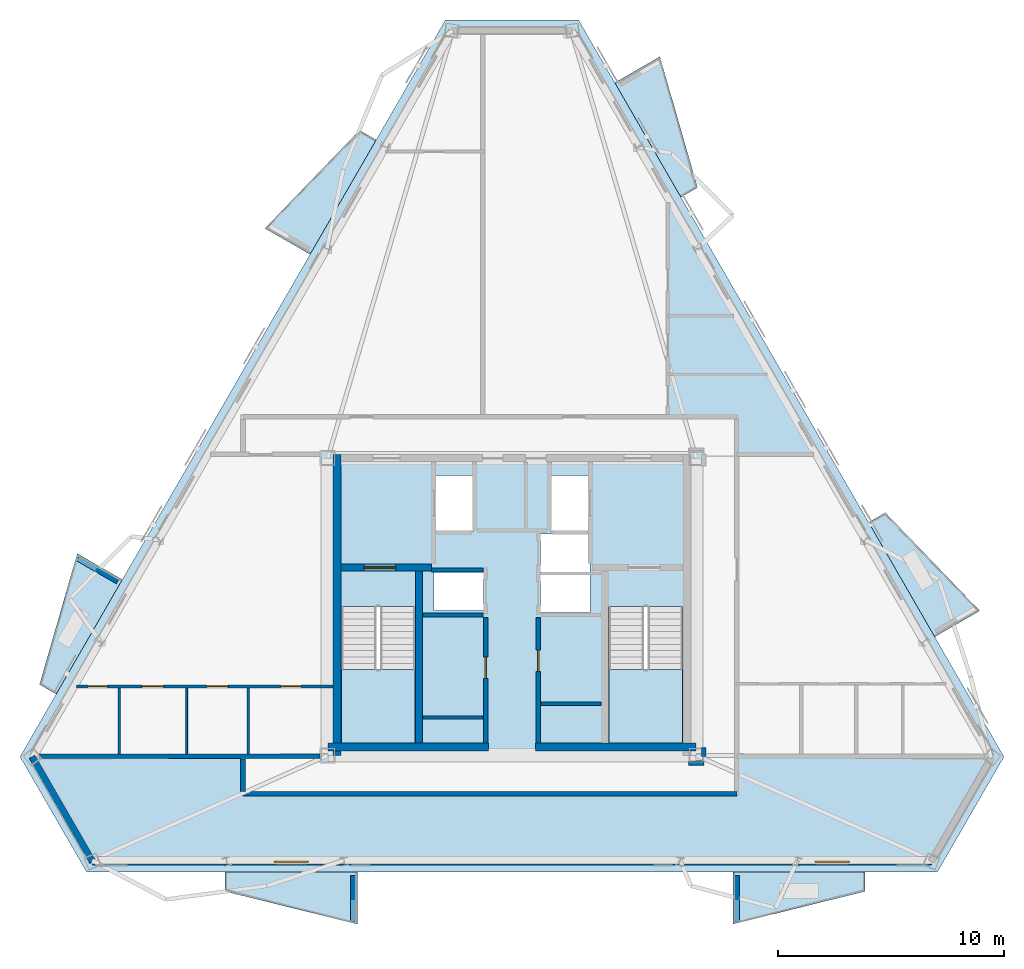
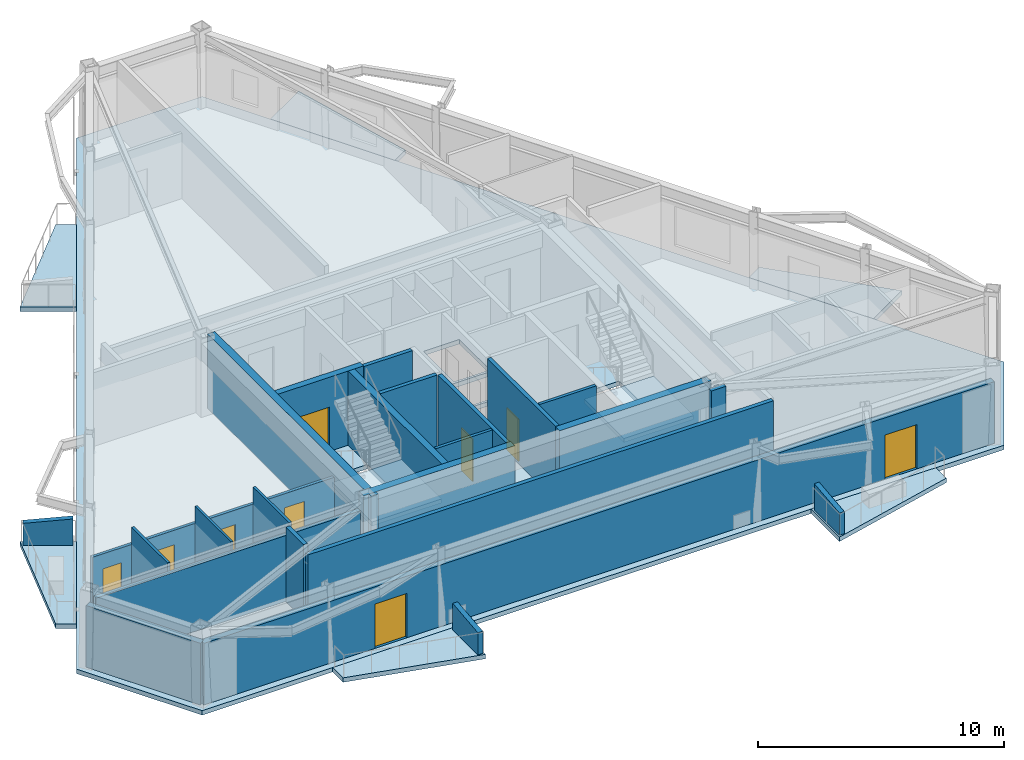
# One storey, part 2 of 9: 25 walls, 9 doors, 9 slabs, 9 openings, 2 elements without a shape of their own.
"""IFC4 building model written with IfcOpenShell, lengths in metres."""

from ifc_helpers import new_model, si_unit, direction, frame, frame_2d, origin, place, context, subcontext, project, spatial, polyline, rectangle, outline, extrude, material, layer, layer_set, type_object, element, fill, aggregate, save


model = new_model("IFC4")

# Units and contexts
model_context = context("Model", 3, precision=1e-05, world=origin(), true_north=direction((0.0, 1.0)))
body_context = subcontext(model_context, "Body", "Model", "MODEL_VIEW")
ifc_project = project(units=[si_unit("LENGTHUNIT", "METRE"), si_unit("AREAUNIT", "SQUARE_METRE"), si_unit("VOLUMEUNIT", "CUBIC_METRE"), si_unit("PLANEANGLEUNIT", "RADIAN"), si_unit("MASSUNIT", "GRAM", prefix="KILO")], contexts=[model_context])

# Site, building, storey
site_placement = place(None, origin())
site = spatial("IfcSite", under=ifc_project, at=site_placement, CompositionType="ELEMENT")
building_placement = place(site_placement, origin())
building = spatial("IfcBuilding", under=site, at=building_placement, Name="Oramaril Tower", CompositionType="ELEMENT")
storey_placement = place(building_placement, frame((0.0, 0.0, 253.800048828125)))
storey = spatial("IfcBuildingStorey", under=building, at=storey_placement, Name="L67", CompositionType="ELEMENT", Elevation=253.800048828125)

# Slabs
ifc_material_1 = material(Name="Concrete C40/50", Category="concrete")
ifc_layer_1 = layer(ifc_material_1, 0.199951171875)
ifc_layer_set_1 = layer_set([ifc_layer_1], Name="SLT-BAL20")
slab_type_1 = type_object("IfcSlabType", Name="SLT-BAL20", PredefinedType="FLOOR", material=ifc_layer_set_1)
slab_1_placement = place(storey_placement, frame((0.0, 0.0, -0.219970703125)))
element("IfcSlab", 1, at=slab_1_placement, inside=storey, type_object=slab_type_1, Name="L67 Cantilevered Balcony Slab L67-BAL-S1", PredefinedType="FLOOR", context=body_context, shape_type="SweptSolid", body=[
    extrude(outline(polyline([(24.808349609375, 5.834228515625), (30.658203125, 5.834228515625), (30.658203125, 3.5322265625), (24.808349609375, 4.982421875), (24.808349609375, 5.834228515625)])), origin(), (0.0, 0.0, 1.0), 0.219970703125),
])
slab_2_placement = place(storey_placement, frame((0.0, 0.0, -0.219970703125)))
element("IfcSlab", 2, at=slab_2_placement, inside=storey, type_object=slab_type_1, Name="L67 Cantilevered Balcony Slab L67-BAL-NE2", PredefinedType="FLOOR", context=body_context, shape_type="SweptSolid", body=[
    extrude(outline(polyline([(44.97119140625, 35.691162109375), (42.046142578125, 40.75732421875), (44.039794921875, 41.908203125), (45.708984375, 36.1171875), (44.97119140625, 35.691162109375)])), origin(), (0.0, 0.0, 1.0), 0.219970703125),
])
slab_3_placement = place(storey_placement, frame((0.0, 0.0, -0.219970703125)))
element("IfcSlab", 3, at=slab_3_placement, inside=storey, type_object=slab_type_1, Name="L67 Cantilevered Balcony Slab L67-BAL-NW1", PredefinedType="FLOOR", context=body_context, shape_type="SweptSolid", body=[
    extrude(outline(polyline([(31.491455078125, 38.22412109375), (28.56640625, 33.157958984375), (26.57275390625, 34.30908203125), (30.753662109375, 38.650146484375), (31.491455078125, 38.22412109375)])), origin(), (0.0, 0.0, 1.0), 0.219970703125),
])
ifc_material_2 = material(Name="Concrete C50/60", Category="concrete")
ifc_layer_2 = layer(ifc_material_2, 0.219970703125)
ifc_layer_set_2 = layer_set([ifc_layer_2], Name="SLT-FLR22")
slab_type_2 = type_object("IfcSlabType", Name="SLT-FLR22", PredefinedType="FLOOR", material=ifc_layer_set_2)
slab_4_placement = place(storey_placement, frame((0.0, 0.0, -0.219970703125)))
element("IfcSlab", 4, at=slab_4_placement, inside=storey, type_object=slab_type_2, Name="L67 Structural Floor Slab", PredefinedType="FLOOR", context=body_context, shape_type="SweptSolid", body=[
    extrude(outline(polyline([(15.7353515625, 10.93798828125), (18.683349609375, 5.832275390625), (56.316650390625, 5.832275390625), (59.2646484375, 10.93798828125), (40.44775390625, 43.529541015625), (34.55224609375, 43.529541015625), (15.7353515625, 10.93798828125)]), holes=[polyline([(29.949951171875, 17.58935546875), (29.949951171875, 11.550048828125), (33.219970703125, 11.550048828125), (33.219970703125, 17.58935546875), (29.949951171875, 17.58935546875)]), polyline([(41.780029296875, 17.58935546875), (41.780029296875, 11.550048828125), (45.050048828125, 11.550048828125), (45.050048828125, 17.58935546875), (41.780029296875, 17.58935546875)]), polyline([(34.110107421875, 20.909912109375), (35.7900390625, 20.909912109375), (35.7900390625, 23.389892578125), (34.110107421875, 23.389892578125), (34.110107421875, 20.909912109375)]), polyline([(39.2099609375, 20.909912109375), (40.889892578125, 20.909912109375), (40.889892578125, 23.389892578125), (39.2099609375, 23.389892578125), (39.2099609375, 20.909912109375)]), polyline([(34.06005859375, 17.409912109375), (36.239990234375, 17.409912109375), (36.239990234375, 19.090087890625), (34.06005859375, 19.090087890625), (34.06005859375, 17.409912109375)]), polyline([(38.760009765625, 17.31005859375), (40.93994140625, 17.31005859375), (40.93994140625, 18.989990234375), (38.760009765625, 18.989990234375), (38.760009765625, 17.31005859375)]), polyline([(38.760009765625, 19.110107421875), (40.93994140625, 19.110107421875), (40.93994140625, 20.7900390625), (38.760009765625, 20.7900390625), (38.760009765625, 19.110107421875)])]), origin(), (0.0, 0.0, 1.0), 0.219970703125),
])

# Stair, slab
ifc_material_3 = material(Name="Concrete C50/60", Category="concrete")
stair_type = type_object("IfcStairType", Name="STT-DG-3900", PredefinedType="HALF_TURN_STAIR", material=ifc_material_3)
stair_1_placement = place(storey_placement, origin())
stair_1 = element("IfcStair", 5, at=stair_1_placement, inside=storey, type_object=stair_type, Name="L67 Protected PFP Exit Stair ST-1", PredefinedType="HALF_TURN_STAIR")
ifc_material_4 = material(Name="Concrete C50/60", Category="concrete")
ifc_layer_3 = layer(ifc_material_4, 0.199951171875)
ifc_layer_set_3 = layer_set([ifc_layer_3], Name="SLT-LND20")
slab_type_3 = type_object("IfcSlabType", Name="SLT-LND20", PredefinedType="LANDING", material=ifc_layer_set_3)
slab_5_placement = place(storey_placement, frame((0.0, 0.0, 1.75)))
slab_5 = element("IfcSlab", 6, at=slab_5_placement, type_object=slab_type_3, Name="ST-1 landing 1", PredefinedType="LANDING", context=body_context, shape_type="SweptSolid", body=[
    extrude(outline(polyline([(29.949951171875, 14.7900390625), (29.949951171875, 11.550048828125), (33.219970703125, 11.550048828125), (33.219970703125, 14.7900390625), (29.949951171875, 14.7900390625)])), origin(), (0.0, 0.0, 1.0), 0.199951171875),
])
aggregate(stair_1, [slab_5])

stair_2_placement = place(storey_placement, origin())
stair_2 = element("IfcStair", 7, at=stair_2_placement, inside=storey, type_object=stair_type, Name="L67 Protected PFP Exit Stair ST-2", PredefinedType="HALF_TURN_STAIR")
slab_6_placement = place(storey_placement, frame((0.0, 0.0, 1.75)))
slab_6 = element("IfcSlab", 8, at=slab_6_placement, type_object=slab_type_3, Name="ST-2 landing 1", PredefinedType="LANDING", context=body_context, shape_type="SweptSolid", body=[
    extrude(outline(polyline([(41.780029296875, 14.7900390625), (41.780029296875, 11.550048828125), (45.050048828125, 11.550048828125), (45.050048828125, 14.7900390625), (41.780029296875, 14.7900390625)])), origin(), (0.0, 0.0, 1.0), 0.199951171875),
])
aggregate(stair_2, [slab_6])

# Slabs
ifc_material_5 = material(Name="Concrete C40/50", Category="concrete")
ifc_layer_4 = layer(ifc_material_5, 0.18994140625)
ifc_layer_set_4 = layer_set([ifc_layer_4], Name="SLT-PLN19")
slab_type_4 = type_object("IfcSlabType", Name="SLT-PLN19", PredefinedType="FLOOR", material=ifc_layer_set_4)
slab_7_placement = place(storey_placement, frame((0.0, 0.0, -0.219970703125)))
element("IfcSlab", 9, at=slab_7_placement, inside=storey, type_object=slab_type_4, Name="L67 Tree Planter Balcony Slab L67-BAL-S2", PredefinedType="FLOOR", context=body_context, shape_type="SweptSolid", body=[
    extrude(outline(polyline([(47.2666015625, 5.834228515625), (53.11669921875, 5.834228515625), (53.11669921875, 4.982421875), (47.2666015625, 3.5322265625), (47.2666015625, 5.834228515625)])), origin(), (0.0, 0.0, 1.0), 0.219970703125),
])
slab_8_placement = place(storey_placement, frame((0.0, 0.0, -0.219970703125)))
element("IfcSlab", 10, at=slab_8_placement, inside=storey, type_object=slab_type_4, Name="L67 Tree Planter Balcony Slab L67-BAL-NE1", PredefinedType="FLOOR", context=body_context, shape_type="SweptSolid", body=[
    extrude(outline(polyline([(56.200439453125, 16.241455078125), (53.275390625, 21.3076171875), (54.01318359375, 21.733642578125), (58.194091796875, 17.392578125), (56.200439453125, 16.241455078125)])), origin(), (0.0, 0.0, 1.0), 0.219970703125),
])
slab_9_placement = place(storey_placement, frame((0.0, 0.0, -0.219970703125)))
element("IfcSlab", 11, at=slab_9_placement, inside=storey, type_object=slab_type_4, Name="L67 Tree Planter Balcony Slab L67-BAL-NW2", PredefinedType="FLOOR", context=body_context, shape_type="SweptSolid", body=[
    extrude(outline(polyline([(20.26220703125, 18.774658203125), (17.337158203125, 13.70849609375), (16.599365234375, 14.134521484375), (18.2685546875, 19.925537109375), (20.26220703125, 18.774658203125)])), origin(), (0.0, 0.0, 1.0), 0.219970703125),
])

# Wall
ifc_material_6 = material(Name="Warm Cream Limestone", Category="masonry")
ifc_layer_5 = layer(ifc_material_6, 0.2900390625)
ifc_layer_set_5 = layer_set([ifc_layer_5], Name="WT-EXT29")
wall_type_1 = type_object("IfcWallType", Name="WT-EXT29", PredefinedType="SOLIDWALL", material=ifc_layer_set_5)
wall_1_placement = place(storey_placement, frame((16.2666015625, 10.93798828125, 0.0), z_axis=(0.0, 0.0, 1.0), x_axis=(0.500020538415, -0.8660135456, 0.0)))
element("IfcWall", 12, at=wall_1_placement, inside=storey, type_object=wall_type_1, Name="L67 Tower Limestone Facade Wall 1M", PredefinedType="SOLIDWALL", context=body_context, shape_type="SweptSolid", body=[
    extrude(rectangle(XDim=5.364501953125, YDim=0.2900390625, at=frame_2d((2.68212890625, 0.0))), origin(), (0.0, 0.0, 1.0), 3.057861328125),
])

# Wall, openings, doors
wall_2_placement = place(storey_placement, frame((18.948974609375, 6.292236328125, 0.0), z_axis=(0.0, 0.0, 1.0), x_axis=(1.0, 0.0, 0.0)))
wall_2 = element("IfcWall", 13, at=wall_2_placement, inside=storey, type_object=wall_type_1, Name="L67 Tower Limestone Facade Wall 2M", PredefinedType="SOLIDWALL", context=body_context, shape_type="SweptSolid", body=[
    extrude(rectangle(XDim=37.10205078125, YDim=0.2900390625, at=frame_2d((18.551025390625, 0.0))), origin(), (0.0, 0.0, 1.0), 3.057861328125),
])
opening_1_placement = place(wall_2_placement, frame((8.034423828125, 0.0, 0.0)))
opening_1 = element("IfcOpeningElement", 14, at=opening_1_placement, cuts=wall_2, Name="Opening D-L67-BAL-S1", PredefinedType="OPENING", context=body_context, shape_type="SweptSolid", body=[
    extrude(rectangle(XDim=1.5, YDim=2.199951171875, at=frame_2d((0.75, 1.10009765625))), frame((0.0, 0.14501953125, 0.0), z_axis=(0.0, -1.0, 0.0), x_axis=(1.0, 0.0, 0.0)), (0.0, 0.0, 1.0), 0.2900390625),
])
opening_2_placement = place(wall_2_placement, frame((31.962890625, 0.0, 0.0)))
opening_2 = element("IfcOpeningElement", 15, at=opening_2_placement, cuts=wall_2, Name="Opening D-L67-BAL-S2", PredefinedType="OPENING", context=body_context, shape_type="SweptSolid", body=[
    extrude(rectangle(XDim=1.5, YDim=2.199951171875, at=frame_2d((0.75, 1.10009765625))), frame((0.0, 0.14501953125, 0.0), z_axis=(0.0, -1.0, 0.0), x_axis=(1.0, 0.0, 0.0)), (0.0, 0.0, 1.0), 0.2900390625),
])
ifc_material_7 = material(Name="Anodised Aluminium 6063-T6", Category="aluminium")
door_type_1 = type_object("IfcDoorType", Name="DT-BAL", OperationType="NOTDEFINED", PredefinedType="DOOR", material=ifc_material_7)
door_1_placement = place(opening_1_placement, origin())
door_1 = element("IfcDoor", 16, at=door_1_placement, inside=storey, type_object=door_type_1, Name="L67 Balcony Glazed Door L67-BAL-S1", OperationType="SINGLE_SWING_RIGHT", OverallHeight=2.199951171875, OverallWidth=1.5, PredefinedType="DOOR", context=body_context, shape_type="SweptSolid", body=[
    extrude(rectangle(XDim=1.5, YDim=2.199951171875, at=frame_2d((0.75, 1.10009765625))), frame((0.0, 0.02490234375, 0.0), z_axis=(0.0, -1.0, 0.0), x_axis=(1.0, 0.0, 0.0)), (0.0, 0.0, 1.0), 0.050048828125),
])
fill(opening_1, door_1)
door_2_placement = place(opening_2_placement, origin())
door_2 = element("IfcDoor", 17, at=door_2_placement, inside=storey, type_object=door_type_1, Name="L67 Balcony Glazed Door L67-BAL-S2", OperationType="SINGLE_SWING_LEFT", OverallHeight=2.199951171875, OverallWidth=1.5, PredefinedType="DOOR", context=body_context, shape_type="SweptSolid", body=[
    extrude(rectangle(XDim=1.5, YDim=2.199951171875, at=frame_2d((0.75, 1.10009765625))), frame((0.0, 0.02490234375, 0.0), z_axis=(0.0, -1.0, 0.0), x_axis=(1.0, 0.0, 0.0)), (0.0, 0.0, 1.0), 0.050048828125),
])
fill(opening_2, door_2)

# Walls
ifc_material_8 = material(Name="Concrete C40/50", Category="concrete")
ifc_layer_6 = layer(ifc_material_8, 0.22998046875)
ifc_layer_set_6 = layer_set([ifc_layer_6], Name="WT-PRP23")
wall_type_2 = type_object("IfcWallType", Name="WT-PRP23", PredefinedType="PARAPET", material=ifc_layer_set_6)
for number, where, z_axis, x_axis, name in (
    (18, (30.478271484375, 5.6943359375, 0.0), (0.0, 0.0, 1.0), (0.0, -1.0, 0.0), "L67 Trapezoidal Balcony Frame Cheek L67-BAL-S1-R"),
    (19, (47.44677734375, 5.6943359375, 0.0), (0.0, 0.0, 1.0), (0.0, -1.0, 0.0), "L67 Trapezoidal Balcony Frame Cheek L67-BAL-S2-L"),
    (20, (20.05078125, 18.688720703125, 0.0), (0.0, 0.0, 1.0), (-0.866012356593, 0.500022597718, 0.0), "L67 Trapezoidal Balcony Frame Cheek L67-BAL-NW2-L"),
):
    element("IfcWall", number, at=place(storey_placement, frame(where, z_axis=z_axis, x_axis=x_axis)), inside=storey, type_object=wall_type_2, Name=name, PredefinedType="PARAPET", context=body_context, shape_type="SweptSolid", body=[
        extrude(outline(polyline([(0.0, 0.0), (2.0419921875, 0.0), (2.0419921875, 1.099853515625), (0.0, 1.320068359375), (0.0, 0.0)])), frame((0.0, 0.114990234375, 0.0), z_axis=(0.0, -1.0, 0.0), x_axis=(1.0, 0.0, 0.0)), (0.0, 0.0, 1.0), 0.22998046875),
    ])
ifc_material_9 = material(Name="Acoustic Gypsum Board Partition")
ifc_layer_7 = layer(ifc_material_9, 0.10009765625)
ifc_layer_set_7 = layer_set([ifc_layer_7], Name="WT-PT10")
wall_type_3 = type_object("IfcWallType", Name="WT-PT10", PredefinedType="PARTITIONING", material=ifc_layer_set_7)
wall_3_placement = place(storey_placement, frame((23.10009765625, 11.053955078125, 0.0), z_axis=(0.0, 0.0, 1.0), x_axis=(0.0, 1.0, 0.0)))
element("IfcWall", 21, at=wall_3_placement, inside=storey, type_object=wall_type_3, Name="L67 Interior Partition PT-10", PredefinedType="PARTITIONING", context=body_context, shape_type="SweptSolid", body=[
    extrude(rectangle(XDim=2.922119140625, YDim=0.10009765625, at=frame_2d((1.4609375, 0.0))), origin(), (0.0, 0.0, 1.0), 3.679931640625),
])
ifc_material_10 = material(Name="Acoustic Gypsum Board Partition")
ifc_layer_8 = layer(ifc_material_10, 0.1201171875)
ifc_layer_set_8 = layer_set([ifc_layer_8], Name="WT-PT12")
wall_type_4 = type_object("IfcWallType", Name="WT-PT12", PredefinedType="PARTITIONING", material=ifc_layer_set_8)
for number, where, z_axis, x_axis, name in (
    (22, (20.1298828125, 11.053955078125, 0.0), (0.0, 0.0, 1.0), (0.0, 1.0, 0.0), "L67 Interior Partition PT-12"),
    (23, (25.830078125, 11.053955078125, 0.0), (0.0, 0.0, 1.0), (0.0, 1.0, 0.0), "L67 Interior Partition PT-12"),
):
    element("IfcWall", number, at=place(storey_placement, frame(where, z_axis=z_axis, x_axis=x_axis)), inside=storey, type_object=wall_type_4, Name=name, PredefinedType="PARTITIONING", context=body_context, shape_type="SweptSolid", body=[
        extrude(rectangle(XDim=2.922119140625, YDim=0.1201171875, at=frame_2d((1.4609375, 0.0))), origin(), (0.0, 0.0, 1.0), 3.679931640625),
    ])
ifc_material_11 = material(Name="Acoustic Gypsum Board Partition")
ifc_layer_9 = layer(ifc_material_11, 0.139892578125)
ifc_layer_set_9 = layer_set([ifc_layer_9], Name="WT-PT14")
wall_type_5 = type_object("IfcWallType", Name="WT-PT14", PredefinedType="PARTITIONING", material=ifc_layer_set_9)
for number, where, z_axis, x_axis, name in (
    (24, (33.56005859375, 12.679931640625, 0.0), (0.0, 0.0, 1.0), (1.0, 0.0, 0.0), "L67 Freed Shaft South Closure"),
    (25, (38.780029296875, 13.280029296875, 0.0), (0.0, 0.0, 1.0), (1.0, 0.0, 0.0), "L67 Freed Shaft South Closure"),
):
    element("IfcWall", number, at=place(storey_placement, frame(where, z_axis=z_axis, x_axis=x_axis)), inside=storey, type_object=wall_type_5, Name=name, PredefinedType="PARTITIONING", context=body_context, shape_type="SweptSolid", body=[
        extrude(rectangle(XDim=2.659912109375, YDim=0.139892578125, at=frame_2d((1.330078125, 0.0))), origin(), (0.0, 0.0, 1.0), 3.679931640625),
    ])

# Wall, openings, doors
wall_4_placement = place(storey_placement, frame((18.2353515625, 14.050048828125, 0.0), z_axis=(0.0, 0.0, 1.0), x_axis=(1.0, 0.0, 0.0)))
wall_4 = element("IfcWall", 26, at=wall_4_placement, inside=storey, type_object=wall_type_5, Name="L67 Interior Partition PT-14", PredefinedType="PARTITIONING", context=body_context, shape_type="SweptSolid", body=[
    extrude(rectangle(XDim=11.3505859375, YDim=0.139892578125, at=frame_2d((5.67529296875, 0.0))), origin(), (0.0, 0.0, 1.0), 2.820068359375),
])
opening_3_placement = place(wall_4_placement, frame((0.4912109375, 0.0, 0.0)))
opening_3 = element("IfcOpeningElement", 27, at=opening_3_placement, cuts=wall_4, Name="Opening D-L67-01", PredefinedType="OPENING", context=body_context, shape_type="SweptSolid", body=[
    extrude(rectangle(XDim=0.8798828125, YDim=2.080078125, at=frame_2d((0.43994140625, 1.0400390625))), frame((0.0, 0.06982421875, 0.0), z_axis=(0.0, -1.0, 0.0), x_axis=(1.0, 0.0, 0.0)), (0.0, 0.0, 1.0), 0.139892578125),
])
opening_4_placement = place(wall_4_placement, frame((2.901123046875, 0.0, 0.0)))
opening_4 = element("IfcOpeningElement", 28, at=opening_4_placement, cuts=wall_4, Name="Opening D-L67-02", PredefinedType="OPENING", context=body_context, shape_type="SweptSolid", body=[
    extrude(rectangle(XDim=0.949951171875, YDim=2.10009765625, at=frame_2d((0.47509765625, 1.050048828125))), frame((0.0, 0.06982421875, 0.0), z_axis=(0.0, -1.0, 0.0), x_axis=(1.0, 0.0, 0.0)), (0.0, 0.0, 1.0), 0.139892578125),
])
opening_5_placement = place(wall_4_placement, frame((5.75390625, 0.0, 0.0)))
opening_5 = element("IfcOpeningElement", 29, at=opening_5_placement, cuts=wall_4, Name="Opening D-L67-03", PredefinedType="OPENING", context=body_context, shape_type="SweptSolid", body=[
    extrude(rectangle(XDim=0.949951171875, YDim=2.10009765625, at=frame_2d((0.47509765625, 1.050048828125))), frame((0.0, 0.06982421875, 0.0), z_axis=(0.0, -1.0, 0.0), x_axis=(1.0, 0.0, 0.0)), (0.0, 0.0, 1.0), 0.139892578125),
])
opening_6_placement = place(wall_4_placement, frame((9.025634765625, 0.0, 0.0)))
opening_6 = element("IfcOpeningElement", 30, at=opening_6_placement, cuts=wall_4, Name="Opening D-L67-04", PredefinedType="OPENING", context=body_context, shape_type="SweptSolid", body=[
    extrude(rectangle(XDim=0.919921875, YDim=2.1201171875, at=frame_2d((0.4599609375, 1.06005859375))), frame((0.0, 0.06982421875, 0.0), z_axis=(0.0, -1.0, 0.0), x_axis=(1.0, 0.0, 0.0)), (0.0, 0.0, 1.0), 0.139892578125),
])
ifc_material_12 = material(Name="FSC Brazilian Freijo Hardwood", Category="wood")
door_type_2 = type_object("IfcDoorType", Name="DT-BATH", OperationType="NOTDEFINED", PredefinedType="DOOR", material=ifc_material_12)
door_3_placement = place(opening_3_placement, origin())
door_3 = element("IfcDoor", 31, at=door_3_placement, inside=storey, type_object=door_type_2, Name="L67 Flat L67-U2 Bathroom Door D-L67-01", OperationType="SINGLE_SWING_RIGHT", OverallHeight=2.080078125, OverallWidth=0.8798828125, PredefinedType="DOOR", context=body_context, shape_type="SweptSolid", body=[
    extrude(rectangle(XDim=0.8798828125, YDim=2.080078125, at=frame_2d((0.43994140625, 1.0400390625))), frame((0.0, 0.02490234375, 0.0), z_axis=(0.0, -1.0, 0.0), x_axis=(1.0, 0.0, 0.0)), (0.0, 0.0, 1.0), 0.050048828125),
])
fill(opening_3, door_3)
ifc_material_13 = material(Name="FSC Brazilian Freijo Hardwood", Category="wood")
door_type_3 = type_object("IfcDoorType", Name="DT-BED", OperationType="NOTDEFINED", PredefinedType="DOOR", material=ifc_material_13)
door_4_placement = place(opening_6_placement, origin())
door_4 = element("IfcDoor", 32, at=door_4_placement, inside=storey, type_object=door_type_3, Name="L67 Flat L67-U2 Master Bedroom Door D-L67-04", OperationType="SINGLE_SWING_LEFT", OverallHeight=2.1201171875, OverallWidth=0.919921875, PredefinedType="DOOR", context=body_context, shape_type="SweptSolid", body=[
    extrude(rectangle(XDim=0.919921875, YDim=2.1201171875, at=frame_2d((0.4599609375, 1.06005859375))), frame((0.0, 0.02490234375, 0.0), z_axis=(0.0, -1.0, 0.0), x_axis=(1.0, 0.0, 0.0)), (0.0, 0.0, 1.0), 0.050048828125),
])
fill(opening_6, door_4)
ifc_material_14 = material(Name="FSC Brazilian Freijo Hardwood", Category="wood")
door_type_4 = type_object("IfcDoorType", Name="DT-STDY", OperationType="NOTDEFINED", PredefinedType="DOOR", material=ifc_material_14)
door_5_placement = place(opening_4_placement, origin())
door_5 = element("IfcDoor", 33, at=door_5_placement, inside=storey, type_object=door_type_4, Name="L67 Flat L67-U2 Kitchen Door D-L67-02", OperationType="SINGLE_SWING_LEFT", OverallHeight=2.10009765625, OverallWidth=0.949951171875, PredefinedType="DOOR", context=body_context, shape_type="SweptSolid", body=[
    extrude(rectangle(XDim=0.949951171875, YDim=2.10009765625, at=frame_2d((0.47509765625, 1.050048828125))), frame((0.0, 0.02490234375, 0.0), z_axis=(0.0, -1.0, 0.0), x_axis=(1.0, 0.0, 0.0)), (0.0, 0.0, 1.0), 0.050048828125),
])
fill(opening_4, door_5)
door_6_placement = place(opening_5_placement, origin())
door_6 = element("IfcDoor", 34, at=door_6_placement, inside=storey, type_object=door_type_4, Name="L67 Flat L67-U2 Reading Study Door D-L67-03", OperationType="SINGLE_SWING_RIGHT", OverallHeight=2.10009765625, OverallWidth=0.949951171875, PredefinedType="DOOR", context=body_context, shape_type="SweptSolid", body=[
    extrude(rectangle(XDim=0.949951171875, YDim=2.10009765625, at=frame_2d((0.47509765625, 1.050048828125))), frame((0.0, 0.02490234375, 0.0), z_axis=(0.0, -1.0, 0.0), x_axis=(1.0, 0.0, 0.0)), (0.0, 0.0, 1.0), 0.050048828125),
])
fill(opening_5, door_6)

# Walls
ifc_material_15 = material(Name="Autoclaved Cellular Concrete Block", Category="concrete")
ifc_layer_10 = layer(ifc_material_15, 0.179931640625)
ifc_layer_set_10 = layer_set([ifc_layer_10], Name="WT-PT18")
wall_type_6 = type_object("IfcWallType", Name="WT-PT18", PredefinedType="PARTITIONING", material=ifc_layer_set_10)
wall_5_placement = place(storey_placement, frame((33.949951171875, 19.199951171875, 0.0), z_axis=(0.0, 0.0, 1.0), x_axis=(1.0, 0.0, 0.0)))
element("IfcWall", 35, at=wall_5_placement, inside=storey, type_object=wall_type_6, Name="L67 High-Rise Lift H1 North Shaft Wall", PredefinedType="PARTITIONING", context=body_context, shape_type="SweptSolid", body=[
    extrude(rectangle(XDim=2.27001953125, YDim=0.179931640625, at=frame_2d((1.135009765625, 0.0))), origin(), (0.0, 0.0, 1.0), 3.679931640625),
])
wall_6_placement = place(storey_placement, frame((33.56005859375, 17.199951171875, 0.0), z_axis=(0.0, 0.0, 1.0), x_axis=(1.0, 0.0, 0.0)))
element("IfcWall", 36, at=wall_6_placement, inside=storey, type_object=wall_type_6, Name="L67 High-Rise Lift H1 South Wall", PredefinedType="PARTITIONING", context=body_context, shape_type="SweptSolid", body=[
    extrude(rectangle(XDim=2.659912109375, YDim=0.179931640625, at=frame_2d((1.330078125, 0.0))), origin(), (0.0, 0.0, 1.0), 3.679931640625),
])

# Wall, opening, door
wall_7_placement = place(storey_placement, frame((36.340087890625, 11.550048828125, 0.0), z_axis=(0.0, 0.0, 1.0), x_axis=(0.0, 1.0, 0.0)))
wall_7 = element("IfcWall", 37, at=wall_7_placement, inside=storey, type_object=wall_type_6, Name="L67 Freed Shaft Study East Wall", PredefinedType="PARTITIONING", context=body_context, shape_type="SweptSolid", body=[
    extrude(rectangle(XDim=5.550048828125, YDim=0.179931640625, at=frame_2d((2.77490234375, 0.0))), origin(), (0.0, 0.0, 1.0), 3.679931640625),
])
opening_7_placement = place(wall_7_placement, frame((2.85009765625, 0.0, 0.0)))
opening_7 = element("IfcOpeningElement", 38, at=opening_7_placement, cuts=wall_7, Name="Opening D-L67-FL1", PredefinedType="OPENING", context=body_context, shape_type="SweptSolid", body=[
    extrude(rectangle(XDim=0.949951171875, YDim=2.10009765625, at=frame_2d((0.47509765625, 1.050048828125))), frame((0.0, 0.08984375, 0.0), z_axis=(0.0, -1.0, 0.0), x_axis=(1.0, 0.0, 0.0)), (0.0, 0.0, 1.0), 0.179931640625),
])
door_7_placement = place(opening_7_placement, origin())
door_7 = element("IfcDoor", 39, at=door_7_placement, inside=storey, type_object=door_type_4, Name="L67 L67 Residents Library Study Door", OperationType="SINGLE_SWING_LEFT", OverallHeight=2.10009765625, OverallWidth=0.949951171875, PredefinedType="DOOR", context=body_context, shape_type="SweptSolid", body=[
    extrude(rectangle(XDim=0.949951171875, YDim=2.10009765625, at=frame_2d((0.47509765625, 1.050048828125))), frame((0.0, 0.02490234375, 0.0), z_axis=(0.0, -1.0, 0.0), x_axis=(1.0, 0.0, 0.0)), (0.0, 0.0, 1.0), 0.050048828125),
])
fill(opening_7, door_7)

wall_8_placement = place(storey_placement, frame((38.659912109375, 11.550048828125, 0.0), z_axis=(0.0, 0.0, 1.0), x_axis=(0.0, 1.0, 0.0)))
wall_8 = element("IfcWall", 40, at=wall_8_placement, inside=storey, type_object=wall_type_6, Name="L67 Freed Shaft Alcove West Wall", PredefinedType="PARTITIONING", context=body_context, shape_type="SweptSolid", body=[
    extrude(rectangle(XDim=5.550048828125, YDim=0.179931640625, at=frame_2d((2.77490234375, 0.0))), origin(), (0.0, 0.0, 1.0), 3.679931640625),
])
opening_8_placement = place(wall_8_placement, frame((3.14990234375, 0.0, 0.0)))
opening_8 = element("IfcOpeningElement", 41, at=opening_8_placement, cuts=wall_8, Name="Opening D-L67-FM1", PredefinedType="OPENING", context=body_context, shape_type="SweptSolid", body=[
    extrude(rectangle(XDim=0.949951171875, YDim=2.10009765625, at=frame_2d((0.47509765625, 1.050048828125))), frame((0.0, 0.08984375, 0.0), z_axis=(0.0, -1.0, 0.0), x_axis=(1.0, 0.0, 0.0)), (0.0, 0.0, 1.0), 0.179931640625),
])
door_8_placement = place(opening_8_placement, origin())
door_8 = element("IfcDoor", 42, at=door_8_placement, inside=storey, type_object=door_type_4, Name="L67 L67 Sky Consulting Office Door", OperationType="SINGLE_SWING_RIGHT", OverallHeight=2.10009765625, OverallWidth=0.949951171875, PredefinedType="DOOR", context=body_context, shape_type="SweptSolid", body=[
    extrude(rectangle(XDim=0.949951171875, YDim=2.10009765625, at=frame_2d((0.47509765625, 1.050048828125))), frame((0.0, 0.02490234375, 0.0), z_axis=(0.0, -1.0, 0.0), x_axis=(1.0, 0.0, 0.0)), (0.0, 0.0, 1.0), 0.050048828125),
])
fill(opening_8, door_8)

# Walls
ifc_material_16 = material(Name="Autoclaved Cellular Concrete Block", Category="concrete")
ifc_layer_11 = layer(ifc_material_16, 0.199951171875)
ifc_layer_set_11 = layer_set([ifc_layer_11], Name="WT-PT20")
wall_type_7 = type_object("IfcWallType", Name="WT-PT20", PredefinedType="PARTITIONING", material=ifc_layer_set_11)
wall_9_placement = place(storey_placement, frame((25.60009765625, 9.300048828125, 0.0), z_axis=(0.0, 0.0, 1.0), x_axis=(1.0, 0.0, 0.0)))
element("IfcWall", 43, at=wall_9_placement, inside=storey, type_object=wall_type_7, Name="L67 Interior Partition PT-20", PredefinedType="PARTITIONING", context=body_context, shape_type="SweptSolid", body=[
    extrude(rectangle(XDim=21.849853515625, YDim=0.199951171875, at=frame_2d((10.9248046875, 0.0))), origin(), (0.0, 0.0, 1.0), 3.265869140625),
])
wall_10_placement = place(storey_placement, frame((45.304931640625, 10.64990234375, 0.0), z_axis=(0.0, 0.0, 1.0), x_axis=(1.0, 0.0, 0.0)))
element("IfcWall", 44, at=wall_10_placement, inside=storey, type_object=wall_type_7, Name="L67 Interior Partition PT-20", PredefinedType="PARTITIONING", context=body_context, shape_type="SweptSolid", body=[
    extrude(rectangle(XDim=0.690185546875, YDim=0.199951171875, at=frame_2d((0.34521484375, 0.0))), origin(), (0.0, 0.0, 1.0), 3.679931640625),
])
wall_11_placement = place(storey_placement, frame((16.60205078125, 10.949951171875, 0.0), z_axis=(0.0, 0.0, 1.0), x_axis=(1.0, 0.0, 0.0)))
element("IfcWall", 45, at=wall_11_placement, inside=storey, type_object=wall_type_7, Name="L67 Interior Partition PT-20", PredefinedType="PARTITIONING", context=body_context, shape_type="SweptSolid", body=[
    extrude(rectangle(XDim=12.407958984375, YDim=0.199951171875, at=frame_2d((6.2041015625, 0.0))), origin(), (0.0, 0.0, 1.0), 3.265869140625),
])
wall_12_placement = place(storey_placement, frame((25.60009765625, 9.404052734375, 0.0), z_axis=(0.0, 0.0, 1.0), x_axis=(0.0, 1.0, 0.0)))
element("IfcWall", 46, at=wall_12_placement, inside=storey, type_object=wall_type_7, Name="L67 Interior Partition PT-20", PredefinedType="PARTITIONING", context=body_context, shape_type="SweptSolid", body=[
    extrude(rectangle(XDim=1.44189453125, YDim=0.199951171875, at=frame_2d((0.720947265625, 0.0))), origin(), (0.0, 0.0, 1.0), 3.679931640625),
])
wall_13_placement = place(storey_placement, frame((45.989990234375, 10.949951171875, 0.0), z_axis=(0.0, 0.0, 1.0), x_axis=(0.0, 1.0, 0.0)))
element("IfcWall", 47, at=wall_13_placement, inside=storey, type_object=wall_type_7, Name="L67 Interior Partition PT-20", PredefinedType="PARTITIONING", context=body_context, shape_type="SweptSolid", body=[
    extrude(rectangle(XDim=0.39013671875, YDim=0.199951171875, at=frame_2d((0.195068359375, 0.0))), origin(), (0.0, 0.0, 1.0), 3.265869140625),
])

# Wall, opening, door
ifc_material_17 = material(Name="Concrete C50/60", Category="concrete")
ifc_layer_12 = layer(ifc_material_17, 0.300048828125)
ifc_layer_set_12 = layer_set([ifc_layer_12], Name="WT-SH30")
wall_type_8 = type_object("IfcWallType", Name="WT-SH30", PredefinedType="SHEAR", material=ifc_layer_set_12)
wall_14_placement = place(storey_placement, frame((29.93994140625, 19.31005859375, 0.0), z_axis=(0.0, 0.0, 1.0), x_axis=(1.0, 0.0, 0.0)))
wall_14 = element("IfcWall", 48, at=wall_14_placement, inside=storey, type_object=wall_type_8, Name="L67 Core Shear Wall CW-ST1N", PredefinedType="SHEAR", context=body_context, shape_type="SweptSolid", body=[
    extrude(rectangle(XDim=4.010009765625, YDim=0.300048828125, at=frame_2d((2.0048828125, 0.0))), origin(), (0.0, 0.0, 1.0), 3.679931640625),
])
opening_9_placement = place(wall_14_placement, frame((1.010009765625, 0.0, 0.0)))
opening_9 = element("IfcOpeningElement", 49, at=opening_9_placement, cuts=wall_14, Name="Opening D-L67-ST1", PredefinedType="OPENING", context=body_context, shape_type="SweptSolid", body=[
    extrude(rectangle(XDim=1.39990234375, YDim=2.199951171875, at=frame_2d((0.699951171875, 1.10009765625))), frame((0.0, 0.14990234375, 0.0), z_axis=(0.0, -1.0, 0.0), x_axis=(1.0, 0.0, 0.0)), (0.0, 0.0, 1.0), 0.300048828125),
])
ifc_material_18 = material(Name="Painted Galvanised Steel", Category="steel")
door_type_5 = type_object("IfcDoorType", Name="DT-ST", OperationType="NOTDEFINED", PredefinedType="DOOR", material=ifc_material_18)
door_9_placement = place(opening_9_placement, origin())
door_9 = element("IfcDoor", 50, at=door_9_placement, inside=storey, type_object=door_type_5, Name="L67 Protected Stair ST-1 Fire Door", OperationType="SINGLE_SWING_LEFT", OverallHeight=2.199951171875, OverallWidth=1.39990234375, PredefinedType="DOOR", context=body_context, shape_type="SweptSolid", body=[
    extrude(rectangle(XDim=1.39990234375, YDim=2.199951171875, at=frame_2d((0.699951171875, 1.10009765625))), frame((0.0, 0.02490234375, 0.0), z_axis=(0.0, -1.0, 0.0), x_axis=(1.0, 0.0, 0.0)), (0.0, 0.0, 1.0), 0.050048828125),
])
fill(opening_9, door_9)

# Walls
wall_15_placement = place(storey_placement, frame((33.3798828125, 11.5400390625, 0.0), z_axis=(0.0, 0.0, 1.0), x_axis=(0.0, 1.0, 0.0)))
element("IfcWall", 51, at=wall_15_placement, inside=storey, type_object=wall_type_8, Name="L67 Core Shear Wall CW-ST1E", PredefinedType="SHEAR", context=body_context, shape_type="SweptSolid", body=[
    extrude(rectangle(XDim=7.619873046875, YDim=0.300048828125, at=frame_2d((3.81005859375, 0.0))), origin(), (0.0, 0.0, 1.0), 3.679931640625),
])
ifc_material_19 = material(Name="Concrete C50/60", Category="concrete")
ifc_layer_13 = layer(ifc_material_19, 0.35009765625)
ifc_layer_set_13 = layer_set([ifc_layer_13], Name="WT-SH35")
wall_type_9 = type_object("IfcWallType", Name="WT-SH35", PredefinedType="SHEAR", material=ifc_layer_set_13)
wall_16_placement = place(storey_placement, frame((29.764892578125, 11.0, 0.0), z_axis=(0.0, 0.0, 1.0), x_axis=(0.0, 1.0, 0.0)))
element("IfcWall", 52, at=wall_16_placement, inside=storey, type_object=wall_type_9, Name="L67 Core Shear Wall CW-W", PredefinedType="SHEAR", context=body_context, shape_type="SweptSolid", body=[
    extrude(rectangle(XDim=13.300048828125, YDim=0.35009765625, at=frame_2d((6.64990234375, 0.0))), origin(), (0.0, 0.0, 1.0), 3.679931640625),
])
for number, where, z_axis, x_axis, name in (
    (53, (29.35009765625, 11.364990234375, 0.0), (0.0, 0.0, 1.0), (1.0, 0.0, 0.0), "L67 Core Shear Wall CW-SW"),
    (54, (38.550048828125, 11.364990234375, 0.0), (0.0, 0.0, 1.0), (1.0, 0.0, 0.0), "L67 Core Shear Wall CW-SE"),
):
    element("IfcWall", number, at=place(storey_placement, frame(where, z_axis=z_axis, x_axis=x_axis)), inside=storey, type_object=wall_type_9, Name=name, PredefinedType="SHEAR", context=body_context, shape_type="SweptSolid", body=[
        extrude(rectangle(XDim=7.099853515625, YDim=0.35009765625, at=frame_2d((3.5498046875, 0.0))), origin(), (0.0, 0.0, 1.0), 3.679931640625),
    ])

save(model, "model.ifc")
